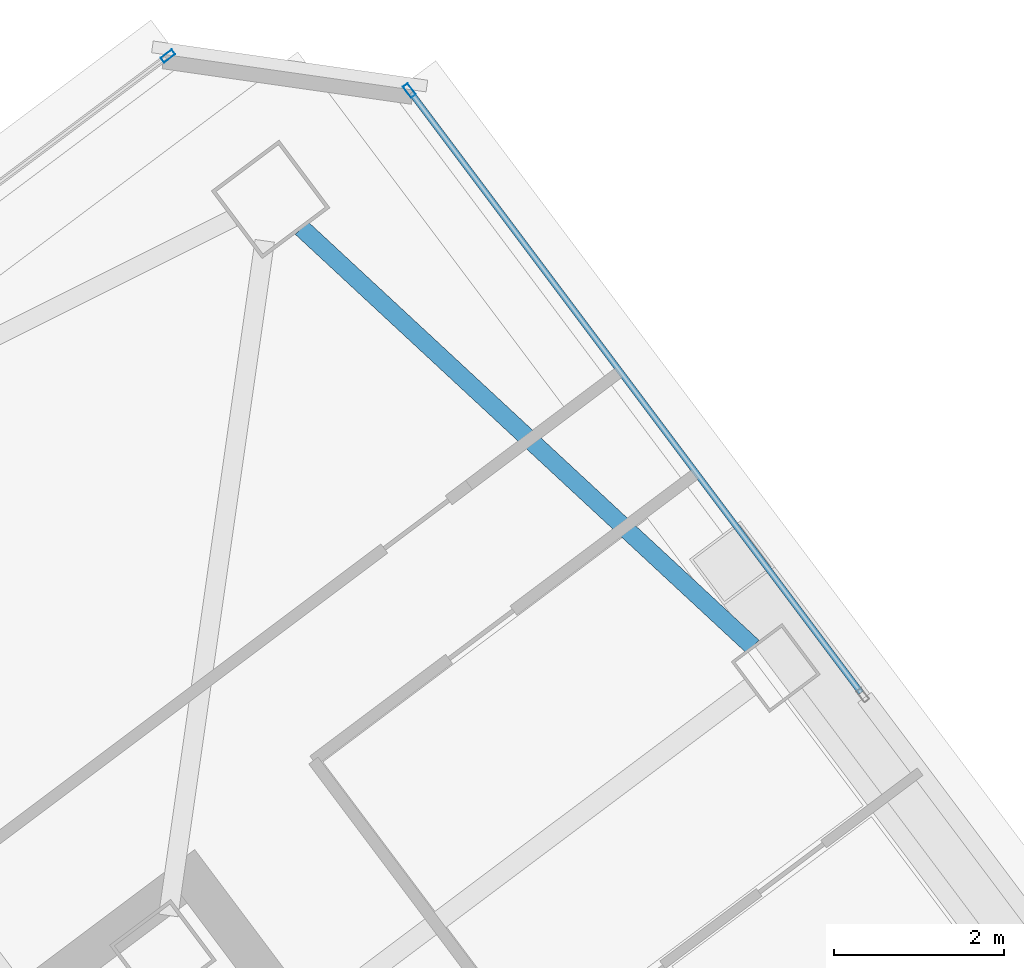
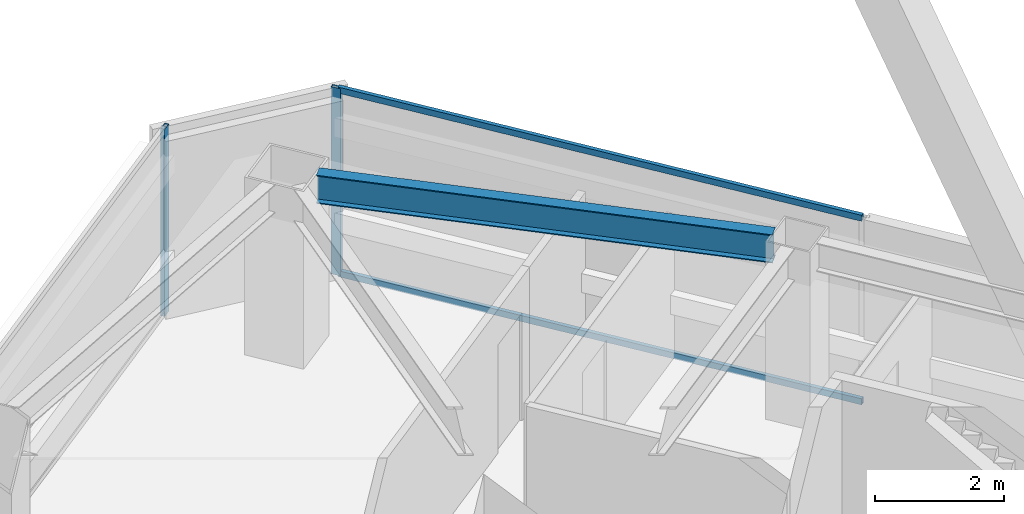
# One storey, part 33 of 47: 4 members, 1 beam, 2 elements without a shape of their own.
"""IFC4 building model written with IfcOpenShell, lengths in metres."""

from ifc_helpers import new_model, si_unit, direction, frame, origin, origin_2d, place, context, subcontext, project, spatial, hollow_rectangle, i_section, extrude, material, material_profile, profile_set, type_object, element, aggregate, save


model = new_model("IFC4")

# Units and contexts
model_context = context("Model", 3, precision=1e-05, world=origin(), true_north=direction((0.0, 1.0)))
body_context = subcontext(model_context, "Body", "Model", "MODEL_VIEW")
ifc_project = project(units=[si_unit("LENGTHUNIT", "METRE"), si_unit("AREAUNIT", "SQUARE_METRE"), si_unit("VOLUMEUNIT", "CUBIC_METRE"), si_unit("PLANEANGLEUNIT", "RADIAN"), si_unit("MASSUNIT", "GRAM", prefix="KILO")], contexts=[model_context])

# Site, building, storey
site_placement = place(None, origin())
site = spatial("IfcSite", under=ifc_project, at=site_placement, CompositionType="ELEMENT")
building_placement = place(site_placement, origin())
building = spatial("IfcBuilding", under=site, at=building_placement, Name="Tashvorn Skyway Center", CompositionType="ELEMENT")
storey_placement = place(building_placement, frame((0.0, 0.0, 204.199951171875)))
storey = spatial("IfcBuildingStorey", under=building, at=storey_placement, Name="L55", CompositionType="ELEMENT", Elevation=204.199951171875)

# Beam
ifc_material_1 = material(Name="Steel ASTM A992 Grade 50", Category="steel")
ifc_material_profile_1 = material_profile(ifc_material_1, i_section(OverallWidth=0.2109375, OverallDepth=0.5390625, WebThickness=0.01171875, FlangeThickness=0.018798828125, at=origin_2d()), Name="W21X73")
ifc_profile_set_1 = profile_set([ifc_material_profile_1], Name="Steel ASTM A992 Grade 50")
beam_type = type_object("IfcBeamType", Name="BM-SPANDREL-W21X73", PredefinedType="SPANDREL", material=ifc_profile_set_1)
beam_placement = place(storey_placement, frame((122.36865234375, 45.481689453125, 3.1005859375), z_axis=(-0.733042389989, 0.680182956622, 0.0), x_axis=(-0.680182956622, -0.733042389989, 0.0)))
element("IfcBeam", 1, at=beam_placement, inside=storey, type_object=beam_type, Name="Tower 2 L55 Spandrel Beam 06", PredefinedType="SPANDREL", context=body_context, shape_type="SweptSolid", body=[
    extrude(i_section(OverallWidth=0.2109375, OverallDepth=0.5390625, WebThickness=0.01171875, FlangeThickness=0.018798828125, at=origin_2d()), origin(), (0.0, 0.0, 1.0), 7.26513671875),
])

# Curtain wall, member
ifc_material_2 = material(Name="Thermally broken bronze-anodized aluminium 6063-T6", Category="aluminium")
curtain_wall_type = type_object("IfcCurtainWallType", Name="CW-CW-Z5", PredefinedType="NOTDEFINED", material=ifc_material_2)
curtain_wall_1_placement = place(storey_placement, origin())
curtain_wall_1 = element("IfcCurtainWall", 2, at=curtain_wall_1_placement, inside=storey, type_object=curtain_wall_type, Name="Tower 2 L55 North Unitised Curtain Wall Glazing Group 2", PredefinedType="NOTDEFINED")
ifc_material_profile_2 = material_profile(ifc_material_2, hollow_rectangle(XDim=0.070068359375, YDim=0.1650390625, WallThickness=0.00390625, at=origin_2d()), Name="ALU-MULL-70x165")
ifc_profile_set_2 = profile_set([ifc_material_profile_2], Name="Thermally broken bronze-anodized aluminium 6063-T6")
member_type_1 = type_object("IfcMemberType", Name="CWM-CW-Z5", PredefinedType="MULLION", material=ifc_profile_set_2)
member_1_placement = place(storey_placement, frame((115.468017578125, 52.450927734375, 0.0), z_axis=(0.0, 0.0, 1.0), x_axis=(-0.600001780418, 0.799998664683, 0.0)))
member_1 = element("IfcMember", 3, at=member_1_placement, type_object=member_type_1, Name="CW-Z5 mullion 2", PredefinedType="MULLION", context=body_context, shape_type="SweptSolid", body=[
    extrude(hollow_rectangle(XDim=0.070068359375, YDim=0.1650390625, WallThickness=0.00390625, at=origin_2d()), origin(), (0.0, 0.0, 1.0), 3.550048828125),
])
aggregate(curtain_wall_1, [member_1])

# Curtain wall, members
curtain_wall_2_placement = place(storey_placement, origin())
curtain_wall_2 = element("IfcCurtainWall", 4, at=curtain_wall_2_placement, inside=storey, type_object=curtain_wall_type, Name="Tower 2 L55 East Unitised Curtain Wall Glazing Group 1", PredefinedType="NOTDEFINED")
member_2_placement = place(storey_placement, frame((118.31689453125, 52.0439453125, 0.0), z_axis=(0.0, 0.0, 1.0), x_axis=(0.799998664683, 0.600001780418, 0.0)))
member_2 = element("IfcMember", 5, at=member_2_placement, type_object=member_type_1, Name="CW-Z5 mullion 1", PredefinedType="MULLION", context=body_context, shape_type="SweptSolid", body=[
    extrude(hollow_rectangle(XDim=0.070068359375, YDim=0.1650390625, WallThickness=0.00390625, at=origin_2d()), origin(), (0.0, 0.0, 1.0), 3.550048828125),
])
ifc_material_profile_3 = material_profile(ifc_material_2, hollow_rectangle(XDim=0.070068359375, YDim=0.114990234375, WallThickness=0.00390625, at=origin_2d()), Name="ALU-TRAN-70x115")
ifc_profile_set_3 = profile_set([ifc_material_profile_3], Name="Thermally broken bronze-anodized aluminium 6063-T6")
member_type_2 = type_object("IfcMemberType", Name="CWT-CW-Z5", PredefinedType="USERDEFINED", material=ifc_profile_set_3)
member_3_placement = place(storey_placement, frame((118.337890625, 52.01611328125, 0.03515625), z_axis=(0.600004415441, -0.799996688401, 0.0), x_axis=(0.799996688401, 0.600004415441, 0.0)))
member_3 = element("IfcMember", 6, at=member_3_placement, type_object=member_type_2, Name="CW-Z5 transom 1.1", ObjectType="TRANSOM", PredefinedType="USERDEFINED", context=body_context, shape_type="SweptSolid", body=[
    extrude(hollow_rectangle(XDim=0.070068359375, YDim=0.114990234375, WallThickness=0.00390625, at=origin_2d()), origin(), (0.0, 0.0, 1.0), 8.8466796875),
])
member_4_placement = place(storey_placement, frame((118.337890625, 52.01611328125, 3.51513671875), z_axis=(0.600004415441, -0.799996688401, 0.0), x_axis=(0.799996688401, 0.600004415441, 0.0)))
member_4 = element("IfcMember", 7, at=member_4_placement, type_object=member_type_2, Name="CW-Z5 transom 1.2", ObjectType="TRANSOM", PredefinedType="USERDEFINED", context=body_context, shape_type="SweptSolid", body=[
    extrude(hollow_rectangle(XDim=0.070068359375, YDim=0.114990234375, WallThickness=0.00390625, at=origin_2d()), origin(), (0.0, 0.0, 1.0), 8.8466796875),
])
aggregate(curtain_wall_2, [member_2, member_3, member_4])

save(model, "model.ifc")
